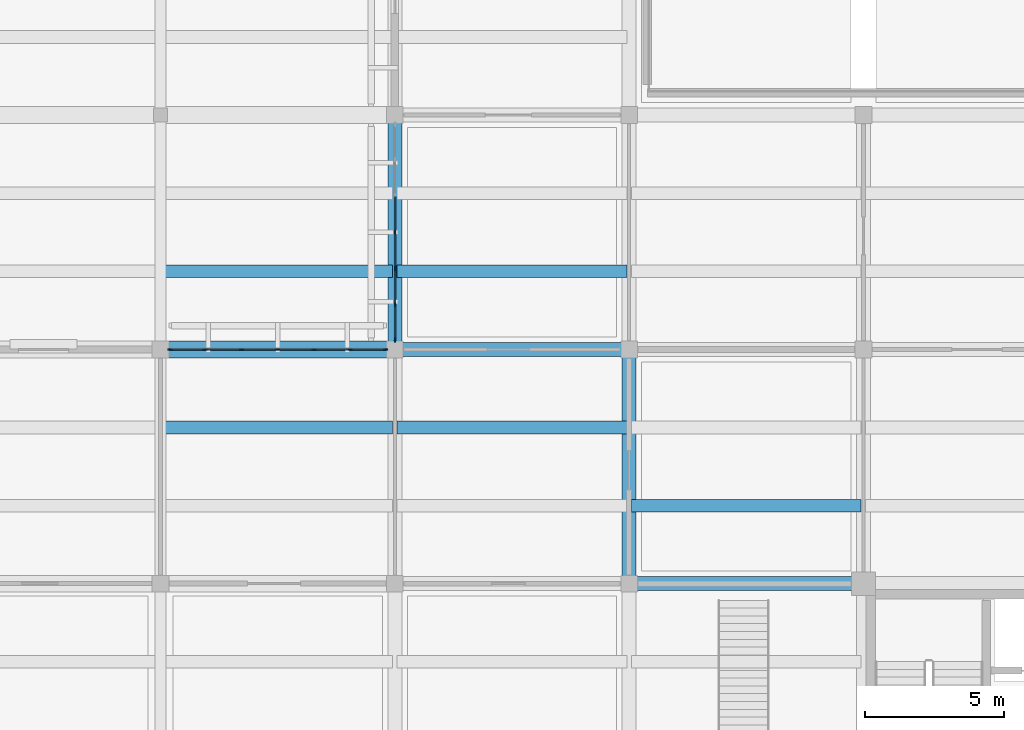
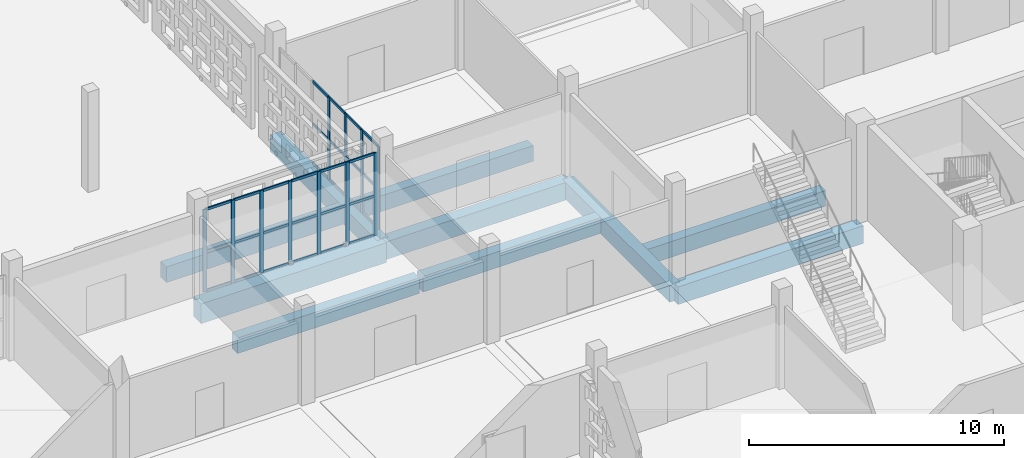
# One storey, part 37 of 129: 41 members, 10 beams, 2 elements without a shape of their own.
"""IFC4 building model written with IfcOpenShell, lengths in metres."""

import ifcopenshell
import ifcopenshell.guid

model = None  # the IFC model being written
_history = None  # IfcOwnerHistory: only IFC2X3 demands one
_inside = {}  # id of a spatial element -> (the spatial element, [elements in it])
_under = {}  # id of a project, library or spatial element -> (it, [spatial elements below it])
_declared = {}  # id of a project -> (the project, [libraries it declares])
_typed = {}  # id of a type object -> (the type object, [elements of that type])
_made_of = {}  # id of a material, layer set ... -> (it, [elements and type objects made of it])


def new_model(schema):
    """Start an empty IFC model of exactly this schema.

    Asked for "IFC4X3", IfcOpenShell would pick the latest addendum, in which some entities
    have other attributes; the version numbers below select the first issue.
    IFC2X3 requires an IfcOwnerHistory on every rooted entity: one is made here for all.
    """
    global model, _history
    if schema == "IFC4X3":
        model = ifcopenshell.file(schema_version=(4, 3, 0, 0))
    else:
        model = ifcopenshell.file(schema=schema)
    _inside.clear()
    _under.clear()
    _declared.clear()
    _typed.clear()
    _made_of.clear()
    _history = None
    if model.schema == "IFC2X3":
        org = make("IfcOrganization", Name="unknown")
        user = make(
            "IfcPersonAndOrganization",
            ThePerson=make("IfcPerson", FamilyName="unknown"),
            TheOrganization=org,
        )
        app = make(
            "IfcApplication",
            ApplicationDeveloper=org,
            Version="unknown",
            ApplicationFullName="unknown",
            ApplicationIdentifier="unknown",
        )
        _history = make(
            "IfcOwnerHistory",
            OwningUser=user,
            OwningApplication=app,
            ChangeAction="ADDED",
            CreationDate=0,
        )
    return model


def make(cls, **values):
    """One entity of the class cls with the attributes given. An attribute that is None is left unset."""
    return model.create_entity(
        cls, **{name: value for name, value in values.items() if value is not None}
    )


def rooted(cls, **values):
    """An entity with a GlobalId (a new one), such as an element, a storey or a relation."""
    return make(cls, GlobalId=ifcopenshell.guid.new(), OwnerHistory=_history, **values)


def si_unit(unit_type, name, prefix=None):
    """IfcSIUnit, for example si_unit("LENGTHUNIT", "METRE", prefix="MILLI")."""
    return make("IfcSIUnit", UnitType=unit_type, Prefix=prefix, Name=name)


def assignment(units):
    """IfcUnitAssignment: the units of a project."""
    return None if units is None else make("IfcUnitAssignment", Units=units)


def point(xyz):
    """IfcCartesianPoint."""
    return None if xyz is None else make("IfcCartesianPoint", Coordinates=xyz)


def direction(xyz):
    """IfcDirection."""
    return None if xyz is None else make("IfcDirection", DirectionRatios=xyz)


def frame(location, z_axis=None, x_axis=None):
    """IfcAxis2Placement3D, a coordinate frame: its origin and axes. An axis left out is left unset."""
    return make(
        "IfcAxis2Placement3D",
        Location=point(location),
        Axis=direction(z_axis),
        RefDirection=direction(x_axis),
    )


def frame_2d(location, x_axis=None):
    """IfcAxis2Placement2D, a coordinate frame in the plane: its origin and x axis."""
    return make(
        "IfcAxis2Placement2D", Location=point(location), RefDirection=direction(x_axis)
    )


def origin():
    """The frame at (0, 0, 0) with its axes left unset."""
    return frame((0.0, 0.0, 0.0))


def origin_2d():
    """The frame at (0, 0) in the plane with its x axis left unset."""
    return frame_2d((0.0, 0.0))


def place(relative_to, where):
    """IfcLocalPlacement: puts the frame where relative to a parent placement (None: the world)."""
    return make(
        "IfcLocalPlacement", PlacementRelTo=relative_to, RelativePlacement=where
    )


def context(
    kind, dimensions, precision=None, world=None, true_north=None, identifier=None
):
    """IfcGeometricRepresentationContext, for example the 3D "Model" context."""
    return make(
        "IfcGeometricRepresentationContext",
        ContextIdentifier=identifier,
        ContextType=kind,
        CoordinateSpaceDimension=dimensions,
        Precision=precision,
        WorldCoordinateSystem=world,
        TrueNorth=true_north,
    )


def subcontext(parent, identifier, kind, view, scale=None):
    """IfcGeometricRepresentationSubContext, for example "Body" below "Model"."""
    return make(
        "IfcGeometricRepresentationSubContext",
        ContextIdentifier=identifier,
        ContextType=kind,
        ParentContext=parent,
        TargetScale=scale,
        TargetView=view,
    )


def project(units=None, contexts=None):
    """IfcProject with its units and contexts."""
    return rooted(
        "IfcProject",
        Name="project",
        RepresentationContexts=contexts,
        UnitsInContext=assignment(units),
    )


def spatial(cls, under=None, at=None, **own):
    """A site, building, storey or space (cls), placed at a placement, below another one or the project."""
    s = rooted(cls, ObjectPlacement=at, **own)
    if under is not None:
        _under.setdefault(under.id(), (under, []))[1].append(s)
    return s


def profile(cls, at=None, kind="AREA", **sizes):
    """A parametric profile (cls). Its sizes go by their IFC names, for example OverallWidth=200.0."""
    return make(cls, ProfileType=kind, Position=at, **sizes)


def rectangle(**sizes):
    """IfcRectangleProfileDef."""
    return profile("IfcRectangleProfileDef", **sizes)


def extrude(swept, where, along, depth):
    """IfcExtrudedAreaSolid: the profile swept, set in the frame where, extruded along a direction by depth."""
    return make(
        "IfcExtrudedAreaSolid",
        SweptArea=swept,
        Position=where,
        ExtrudedDirection=direction(along),
        Depth=depth,
    )


def shape(context_of_items, identifier, shape_type, items):
    """IfcShapeRepresentation: the items that make up one representation, for example the "Body"."""
    return make(
        "IfcShapeRepresentation",
        ContextOfItems=context_of_items,
        RepresentationIdentifier=identifier,
        RepresentationType=shape_type,
        Items=items,
    )


def material(Name=None, Category=None):
    """IfcMaterial."""
    return make("IfcMaterial", Name=Name, Category=Category)


def layer(
    of_material, thickness, ventilated=None, Name=None, Category=None, Priority=None
):
    """IfcMaterialLayer: one layer of a wall or slab, of a material (None: an air gap)."""
    return make(
        "IfcMaterialLayer",
        Material=of_material,
        LayerThickness=thickness,
        IsVentilated=ventilated,
        Name=Name,
        Category=Category,
        Priority=Priority,
    )


def layer_set(layers, Name=None):
    """IfcMaterialLayerSet."""
    return make("IfcMaterialLayerSet", MaterialLayers=layers, LayerSetName=Name)


def material_profile(
    of_material, cross_section, Name=None, Category=None, Priority=None
):
    """IfcMaterialProfile: a cross section and its material."""
    return make(
        "IfcMaterialProfile",
        Name=Name,
        Material=of_material,
        Profile=cross_section,
        Priority=Priority,
        Category=Category,
    )


def profile_set(profiles, Name=None, composite=None):
    """IfcMaterialProfileSet."""
    return make(
        "IfcMaterialProfileSet",
        Name=Name,
        MaterialProfiles=profiles,
        CompositeProfile=composite,
    )


def made_of(thing, what):
    """Note that an element or type object is made of a material, layer set ...; save() writes the relation."""
    if what is not None:
        _made_of.setdefault(what.id(), (what, []))[1].append(thing)
    return thing


def type_object(cls, material=None, **own):
    """A type object (cls), such as IfcWallType, which elements share."""
    return made_of(rooted(cls, **own), material)


def element(
    cls,
    number,
    at=None,
    inside=None,
    cuts=None,
    type_object=None,
    material=None,
    context=None,
    identifier="Body",
    shape_type=None,
    held_by="IfcProductDefinitionShape",
    body=None,
    shapes=None,
    **own,
):
    """One element of the class cls, such as IfcWall. Its Tag is "e" and its number.

    at: its placement. inside: the storey or other place that contains it. cuts: it is an
    opening in that element (IfcRelVoidsElement). A single representation is given by context,
    identifier, shape_type and body (its items); several are given by shapes. held_by: the class
    of the entity that holds the representations. save() writes the other relations.
    """
    e = rooted(cls, Tag="e%d" % number, ObjectPlacement=at, **own)
    if body is not None:
        shapes = [shape(context, identifier, shape_type, body)]
    if shapes is not None:
        e.Representation = make(held_by, Representations=shapes)
    if inside is not None:
        _inside.setdefault(inside.id(), (inside, []))[1].append(e)
    if cuts is not None:
        rooted(
            "IfcRelVoidsElement", RelatingBuildingElement=cuts, RelatedOpeningElement=e
        )
    if type_object is not None:
        _typed.setdefault(type_object.id(), (type_object, []))[1].append(e)
    return made_of(e, material)


def aggregate(whole, parts):
    """IfcRelAggregates: a whole, such as a stair, and the parts it consists of."""
    return rooted("IfcRelAggregates", RelatingObject=whole, RelatedObjects=parts)


def save(model, path):
    """Write the relations noted so far, then the file.

    IfcRelAggregates (storeys below a building ...), IfcRelContainedInSpatialStructure (elements
    in a storey), IfcRelDefinesByType, IfcRelAssociatesMaterial and IfcRelDeclares: one each for
    every whole, place, type object, material and project.
    """
    for whole, parts in _under.values():
        aggregate(whole, parts)
    for where, things in _inside.values():
        rooted(
            "IfcRelContainedInSpatialStructure",
            RelatedElements=things,
            RelatingStructure=where,
        )
    for kind, things in _typed.values():
        rooted("IfcRelDefinesByType", RelatedObjects=things, RelatingType=kind)
    for what, things in _made_of.values():
        rooted("IfcRelAssociatesMaterial", RelatedObjects=things, RelatingMaterial=what)
    for by, libraries in _declared.values():
        rooted("IfcRelDeclares", RelatingContext=by, RelatedDefinitions=libraries)
    model.write(path)


model = new_model("IFC4")

# Units and contexts
model_context = context("Model", 3, precision=1e-05, world=origin(), true_north=direction((0.0, 1.0)))
body_context = subcontext(model_context, "Body", "Model", "MODEL_VIEW")
ifc_project = project(units=[si_unit("LENGTHUNIT", "METRE"), si_unit("AREAUNIT", "SQUARE_METRE"), si_unit("VOLUMEUNIT", "CUBIC_METRE"), si_unit("PLANEANGLEUNIT", "RADIAN"), si_unit("MASSUNIT", "GRAM", prefix="KILO")], contexts=[model_context])

# Site, building, storey
site_placement = place(None, origin())
site = spatial("IfcSite", under=ifc_project, at=site_placement, CompositionType="ELEMENT")
building_placement = place(site_placement, origin())
building = spatial("IfcBuilding", under=site, at=building_placement, Name="Varnapada Polytechnic", CompositionType="ELEMENT")
storey_placement = place(building_placement, origin())
storey = spatial("IfcBuildingStorey", under=building, at=storey_placement, Name="L00", CompositionType="ELEMENT", Elevation=0.0)

# Beams
ifc_material_1 = material(Name="Concrete C40/50", Category="concrete")
ifc_material_profile_1 = material_profile(ifc_material_1, rectangle(XDim=0.449951171875, YDim=0.75, at=origin_2d()), Name="RC 450x750")
ifc_profile_set_1 = profile_set([ifc_material_profile_1], Name="Concrete C40/50")
beam_type_1 = type_object("IfcBeamType", Name="Basement/podium secondary beam BB-01 (RC 450x750)", PredefinedType="BEAM", material=ifc_profile_set_1)
for number, where, z_axis, x_axis, name in (
    (1, (126.080078125, 39.199951171875, -0.675048828125), (1.0, 0.0, 0.0), (0.0, 1.0, 0.0), "L00 floor joist 16/5.2"),
    (2, (126.080078125, 44.800048828125, -0.675048828125), (1.0, 0.0, 0.0), (0.0, 1.0, 0.0), "L00 floor joist 16/6.1"),
    (3, (134.47998046875, 39.199951171875, -0.675048828125), (1.0, 0.0, 0.0), (0.0, 1.0, 0.0), "L00 floor joist 17/5.2"),
    (4, (134.47998046875, 44.800048828125, -0.675048828125), (1.0, 0.0, 0.0), (0.0, 1.0, 0.0), "L00 floor joist 17/6.1"),
):
    element("IfcBeam", number, at=place(storey_placement, frame(where, z_axis=z_axis, x_axis=x_axis)), inside=storey, type_object=beam_type_1, Name=name, PredefinedType="BEAM", context=body_context, shape_type="SweptSolid", body=[
        extrude(rectangle(XDim=0.449951171875, YDim=0.75, at=origin_2d()), origin(), (0.0, 0.0, 1.0), 8.239990234375),
    ])
beam_1_placement = place(storey_placement, frame((142.8798828125, 36.39990234375, -0.675048828125), z_axis=(1.0, 0.0, 0.0), x_axis=(0.0, 1.0, 0.0)))
element("IfcBeam", 5, at=beam_1_placement, inside=storey, type_object=beam_type_1, Name="L00 floor joist 18/5.1", PredefinedType="BEAM", context=body_context, shape_type="SweptSolid", body=[
    extrude(rectangle(XDim=0.449951171875, YDim=0.75, at=origin_2d()), origin(), (0.0, 0.0, 1.0), 8.240234375),
])

# Curtain wall, members
ifc_material_2 = material(Name="Double low-E laminated glass", Category="glass")
ifc_layer = layer(ifc_material_2, 0.159912109375)
ifc_layer_set = layer_set([ifc_layer], Name="Double low-E laminated glass")
curtain_wall_type = type_object("IfcCurtainWallType", Name="Curtain Wall CW-01", PredefinedType="NOTDEFINED", material=ifc_layer_set)
curtain_wall_1_placement = place(storey_placement, origin())
curtain_wall_1 = element("IfcCurtainWall", 6, at=curtain_wall_1_placement, inside=storey, type_object=curtain_wall_type, Name="L00 unitised curtain wall CW-01 (14)", PredefinedType="NOTDEFINED")
ifc_material_3 = material(Name="Anodised aluminium", Category="aluminium")
ifc_material_profile_2 = material_profile(ifc_material_3, rectangle(XDim=0.06005859375, YDim=0.159912109375, at=origin_2d()), Name="ALU M60x160")
ifc_profile_set_2 = profile_set([ifc_material_profile_2], Name="Anodised aluminium")
member_type_1 = type_object("IfcMemberType", Name="Mullion M-01", PredefinedType="MULLION", material=ifc_profile_set_2)
member_1_placement = place(storey_placement, frame((126.330078125, 42.0, 0.0), z_axis=(0.0, 0.0, 1.0), x_axis=(0.0, 1.0, 0.0)))
member_1 = element("IfcMember", 7, at=member_1_placement, type_object=member_type_1, Name="CW-01 mullion 1", PredefinedType="MULLION", context=body_context, shape_type="SweptSolid", body=[
    extrude(rectangle(XDim=0.06005859375, YDim=0.159912109375, at=origin_2d()), origin(), (0.0, 0.0, 1.0), 3.9599609375),
])
member_2_placement = place(storey_placement, frame((127.60009765625, 42.0, 0.0), z_axis=(0.0, 0.0, 1.0), x_axis=(0.0, 1.0, 0.0)))
member_2 = element("IfcMember", 8, at=member_2_placement, type_object=member_type_1, Name="CW-01 mullion 2", PredefinedType="MULLION", context=body_context, shape_type="SweptSolid", body=[
    extrude(rectangle(XDim=0.06005859375, YDim=0.159912109375, at=origin_2d()), origin(), (0.0, 0.0, 1.0), 3.9599609375),
])
member_3_placement = place(storey_placement, frame((128.89990234375, 42.0, 0.0), z_axis=(0.0, 0.0, 1.0), x_axis=(0.0, 1.0, 0.0)))
member_3 = element("IfcMember", 9, at=member_3_placement, type_object=member_type_1, Name="CW-01 mullion 3", PredefinedType="MULLION", context=body_context, shape_type="SweptSolid", body=[
    extrude(rectangle(XDim=0.06005859375, YDim=0.159912109375, at=origin_2d()), origin(), (0.0, 0.0, 1.0), 3.9599609375),
])
member_4_placement = place(storey_placement, frame((130.199951171875, 42.0, 0.0), z_axis=(0.0, 0.0, 1.0), x_axis=(0.0, 1.0, 0.0)))
member_4 = element("IfcMember", 10, at=member_4_placement, type_object=member_type_1, Name="CW-01 mullion 4", PredefinedType="MULLION", context=body_context, shape_type="SweptSolid", body=[
    extrude(rectangle(XDim=0.06005859375, YDim=0.159912109375, at=origin_2d()), origin(), (0.0, 0.0, 1.0), 3.9599609375),
])
member_5_placement = place(storey_placement, frame((131.5, 42.0, 0.0), z_axis=(0.0, 0.0, 1.0), x_axis=(0.0, 1.0, 0.0)))
member_5 = element("IfcMember", 11, at=member_5_placement, type_object=member_type_1, Name="CW-01 mullion 5", PredefinedType="MULLION", context=body_context, shape_type="SweptSolid", body=[
    extrude(rectangle(XDim=0.06005859375, YDim=0.159912109375, at=origin_2d()), origin(), (0.0, 0.0, 1.0), 3.9599609375),
])
member_6_placement = place(storey_placement, frame((132.800048828125, 42.0, 0.0), z_axis=(0.0, 0.0, 1.0), x_axis=(0.0, 1.0, 0.0)))
member_6 = element("IfcMember", 12, at=member_6_placement, type_object=member_type_1, Name="CW-01 mullion 6", PredefinedType="MULLION", context=body_context, shape_type="SweptSolid", body=[
    extrude(rectangle(XDim=0.06005859375, YDim=0.159912109375, at=origin_2d()), origin(), (0.0, 0.0, 1.0), 3.9599609375),
])
member_7_placement = place(storey_placement, frame((134.070068359375, 42.0, 0.0), z_axis=(0.0, 0.0, 1.0), x_axis=(0.0, 1.0, 0.0)))
member_7 = element("IfcMember", 13, at=member_7_placement, type_object=member_type_1, Name="CW-01 mullion 7", PredefinedType="MULLION", context=body_context, shape_type="SweptSolid", body=[
    extrude(rectangle(XDim=0.06005859375, YDim=0.159912109375, at=origin_2d()), origin(), (0.0, 0.0, 1.0), 3.9599609375),
])

curtain_wall_2_placement = place(storey_placement, origin())
curtain_wall_2 = element("IfcCurtainWall", 14, at=curtain_wall_2_placement, inside=storey, type_object=curtain_wall_type, Name="L00 unitised curtain wall CW-01 (16)", PredefinedType="NOTDEFINED")
member_8_placement = place(storey_placement, frame((134.39990234375, 42.330078125, 0.0), z_axis=(0.0, 0.0, 1.0), x_axis=(-1.0, 0.0, 0.0)))
member_8 = element("IfcMember", 15, at=member_8_placement, type_object=member_type_1, Name="CW-01 mullion 1", PredefinedType="MULLION", context=body_context, shape_type="SweptSolid", body=[
    extrude(rectangle(XDim=0.06005859375, YDim=0.159912109375, at=origin_2d()), origin(), (0.0, 0.0, 1.0), 3.9599609375),
])
member_9_placement = place(storey_placement, frame((134.39990234375, 43.60009765625, 0.0), z_axis=(0.0, 0.0, 1.0), x_axis=(-1.0, 0.0, 0.0)))
member_9 = element("IfcMember", 16, at=member_9_placement, type_object=member_type_1, Name="CW-01 mullion 2", PredefinedType="MULLION", context=body_context, shape_type="SweptSolid", body=[
    extrude(rectangle(XDim=0.06005859375, YDim=0.159912109375, at=origin_2d()), origin(), (0.0, 0.0, 1.0), 3.9599609375),
])
member_10_placement = place(storey_placement, frame((134.39990234375, 44.89990234375, 0.0), z_axis=(0.0, 0.0, 1.0), x_axis=(-1.0, 0.0, 0.0)))
member_10 = element("IfcMember", 17, at=member_10_placement, type_object=member_type_1, Name="CW-01 mullion 3", PredefinedType="MULLION", context=body_context, shape_type="SweptSolid", body=[
    extrude(rectangle(XDim=0.06005859375, YDim=0.159912109375, at=origin_2d()), origin(), (0.0, 0.0, 1.0), 3.9599609375),
])
member_11_placement = place(storey_placement, frame((134.39990234375, 46.199951171875, 0.0), z_axis=(0.0, 0.0, 1.0), x_axis=(-1.0, 0.0, 0.0)))
member_11 = element("IfcMember", 18, at=member_11_placement, type_object=member_type_1, Name="CW-01 mullion 4", PredefinedType="MULLION", context=body_context, shape_type="SweptSolid", body=[
    extrude(rectangle(XDim=0.06005859375, YDim=0.159912109375, at=origin_2d()), origin(), (0.0, 0.0, 1.0), 3.9599609375),
])

# Beams
ifc_material_profile_3 = material_profile(ifc_material_1, rectangle(XDim=0.5, YDim=0.800048828125, at=origin_2d()), Name="RC 500x800")
ifc_profile_set_3 = profile_set([ifc_material_profile_3], Name="Concrete C40/50")
beam_type_2 = type_object("IfcBeamType", Name="Refectory podium girder BB-03 (RC 500x800)", PredefinedType="BEAM", material=ifc_profile_set_3)
for number, where, z_axis, x_axis, name in (
    (19, (134.39990234375, 42.0, -0.699951171875), (0.0, 1.0, 0.0), (-1.0, 0.0, 0.0), "L00 beam Y 6-7 at X17"),
    (20, (142.800048828125, 33.60009765625, -0.699951171875), (0.0, 1.0, 0.0), (-1.0, 0.0, 0.0), "L00 beam Y 5-6 at X18"),
):
    element("IfcBeam", number, at=place(storey_placement, frame(where, z_axis=z_axis, x_axis=x_axis)), inside=storey, type_object=beam_type_2, Name=name, PredefinedType="BEAM", context=body_context, shape_type="SweptSolid", body=[
        extrude(rectangle(XDim=0.5, YDim=0.800048828125, at=origin_2d()), origin(), (0.0, 0.0, 1.0), 8.39990234375),
    ])
ifc_material_profile_4 = material_profile(ifc_material_1, rectangle(XDim=0.5, YDim=0.85009765625, at=origin_2d()), Name="RC 500x850")
ifc_profile_set_4 = profile_set([ifc_material_profile_4], Name="Concrete C40/50")
beam_type_3 = type_object("IfcBeamType", Name="Standard podium primary girder BG-02 (RC 500x850)", PredefinedType="T_BEAM", material=ifc_profile_set_4)
beam_2_placement = place(storey_placement, frame((134.39990234375, 42.0, -0.72509765625), z_axis=(1.0, 0.0, 0.0), x_axis=(0.0, 1.0, 0.0)))
element("IfcBeam", 21, at=beam_2_placement, inside=storey, type_object=beam_type_3, Name="L00 beam X 17-18 at Y6", PredefinedType="T_BEAM", context=body_context, shape_type="SweptSolid", body=[
    extrude(rectangle(XDim=0.5, YDim=0.85009765625, at=origin_2d()), origin(), (0.0, 0.0, 1.0), 8.400146484375),
])
beam_3_placement = place(storey_placement, frame((142.800048828125, 33.60009765625, -0.72509765625), z_axis=(1.0, 0.0, 0.0), x_axis=(0.0, 1.0, 0.0)))
element("IfcBeam", 22, at=beam_3_placement, inside=storey, type_object=beam_type_3, Name="L00 beam X 18-19 at Y5", PredefinedType="T_BEAM", context=body_context, shape_type="SweptSolid", body=[
    extrude(rectangle(XDim=0.5, YDim=0.85009765625, at=origin_2d()), origin(), (0.0, 0.0, 1.0), 8.39990234375),
])

# Member
ifc_material_profile_5 = material_profile(ifc_material_3, rectangle(XDim=0.06005859375, YDim=0.1201171875, at=origin_2d()), Name="ALU T60x120")
ifc_profile_set_5 = profile_set([ifc_material_profile_5], Name="Anodised aluminium")
member_type_2 = type_object("IfcMemberType", Name="Transom T-01", PredefinedType="USERDEFINED", material=ifc_profile_set_5)
member_12_placement = place(storey_placement, frame((126.360107421875, 42.0, 0.030029296875), z_axis=(1.0, 0.0, 0.0), x_axis=(0.0, 1.0, 0.0)))
member_12 = element("IfcMember", 23, at=member_12_placement, type_object=member_type_2, Name="CW-01 transom 1.1", ObjectType="TRANSOM", PredefinedType="USERDEFINED", context=body_context, shape_type="SweptSolid", body=[
    extrude(rectangle(XDim=0.06005859375, YDim=0.1201171875, at=origin_2d()), origin(), (0.0, 0.0, 1.0), 1.2099609375),
])

member_13_placement = place(storey_placement, frame((126.360107421875, 42.0, 1.90087890625), z_axis=(1.0, 0.0, 0.0), x_axis=(0.0, 1.0, 0.0)))
member_13 = element("IfcMember", 24, at=member_13_placement, type_object=member_type_2, Name="CW-01 transom 1.2", ObjectType="TRANSOM", PredefinedType="USERDEFINED", context=body_context, shape_type="SweptSolid", body=[
    extrude(rectangle(XDim=0.06005859375, YDim=0.1201171875, at=origin_2d()), origin(), (0.0, 0.0, 1.0), 1.2099609375),
])

member_14_placement = place(storey_placement, frame((126.360107421875, 42.0, 3.929931640625), z_axis=(1.0, 0.0, 0.0), x_axis=(0.0, 1.0, 0.0)))
member_14 = element("IfcMember", 25, at=member_14_placement, type_object=member_type_2, Name="CW-01 transom 1.3", ObjectType="TRANSOM", PredefinedType="USERDEFINED", context=body_context, shape_type="SweptSolid", body=[
    extrude(rectangle(XDim=0.06005859375, YDim=0.1201171875, at=origin_2d()), origin(), (0.0, 0.0, 1.0), 1.2099609375),
])

member_15_placement = place(storey_placement, frame((127.6298828125, 42.0, 0.030029296875), z_axis=(1.0, 0.0, 0.0), x_axis=(0.0, 1.0, 0.0)))
member_15 = element("IfcMember", 26, at=member_15_placement, type_object=member_type_2, Name="CW-01 transom 2.1", ObjectType="TRANSOM", PredefinedType="USERDEFINED", context=body_context, shape_type="SweptSolid", body=[
    extrude(rectangle(XDim=0.06005859375, YDim=0.1201171875, at=origin_2d()), origin(), (0.0, 0.0, 1.0), 1.240234375),
])

member_16_placement = place(storey_placement, frame((127.6298828125, 42.0, 1.90087890625), z_axis=(1.0, 0.0, 0.0), x_axis=(0.0, 1.0, 0.0)))
member_16 = element("IfcMember", 27, at=member_16_placement, type_object=member_type_2, Name="CW-01 transom 2.2", ObjectType="TRANSOM", PredefinedType="USERDEFINED", context=body_context, shape_type="SweptSolid", body=[
    extrude(rectangle(XDim=0.06005859375, YDim=0.1201171875, at=origin_2d()), origin(), (0.0, 0.0, 1.0), 1.240234375),
])

member_17_placement = place(storey_placement, frame((127.6298828125, 42.0, 3.929931640625), z_axis=(1.0, 0.0, 0.0), x_axis=(0.0, 1.0, 0.0)))
member_17 = element("IfcMember", 28, at=member_17_placement, type_object=member_type_2, Name="CW-01 transom 2.3", ObjectType="TRANSOM", PredefinedType="USERDEFINED", context=body_context, shape_type="SweptSolid", body=[
    extrude(rectangle(XDim=0.06005859375, YDim=0.1201171875, at=origin_2d()), origin(), (0.0, 0.0, 1.0), 1.240234375),
])

member_18_placement = place(storey_placement, frame((128.929931640625, 42.0, 0.030029296875), z_axis=(1.0, 0.0, 0.0), x_axis=(0.0, 1.0, 0.0)))
member_18 = element("IfcMember", 29, at=member_18_placement, type_object=member_type_2, Name="CW-01 transom 3.1", ObjectType="TRANSOM", PredefinedType="USERDEFINED", context=body_context, shape_type="SweptSolid", body=[
    extrude(rectangle(XDim=0.06005859375, YDim=0.1201171875, at=origin_2d()), origin(), (0.0, 0.0, 1.0), 1.239990234375),
])

member_19_placement = place(storey_placement, frame((128.929931640625, 42.0, 1.90087890625), z_axis=(1.0, 0.0, 0.0), x_axis=(0.0, 1.0, 0.0)))
member_19 = element("IfcMember", 30, at=member_19_placement, type_object=member_type_2, Name="CW-01 transom 3.2", ObjectType="TRANSOM", PredefinedType="USERDEFINED", context=body_context, shape_type="SweptSolid", body=[
    extrude(rectangle(XDim=0.06005859375, YDim=0.1201171875, at=origin_2d()), origin(), (0.0, 0.0, 1.0), 1.239990234375),
])

member_20_placement = place(storey_placement, frame((128.929931640625, 42.0, 3.929931640625), z_axis=(1.0, 0.0, 0.0), x_axis=(0.0, 1.0, 0.0)))
member_20 = element("IfcMember", 31, at=member_20_placement, type_object=member_type_2, Name="CW-01 transom 3.3", ObjectType="TRANSOM", PredefinedType="USERDEFINED", context=body_context, shape_type="SweptSolid", body=[
    extrude(rectangle(XDim=0.06005859375, YDim=0.1201171875, at=origin_2d()), origin(), (0.0, 0.0, 1.0), 1.239990234375),
])

member_21_placement = place(storey_placement, frame((130.22998046875, 42.0, 0.030029296875), z_axis=(1.0, 0.0, 0.0), x_axis=(0.0, 1.0, 0.0)))
member_21 = element("IfcMember", 32, at=member_21_placement, type_object=member_type_2, Name="CW-01 transom 4.1", ObjectType="TRANSOM", PredefinedType="USERDEFINED", context=body_context, shape_type="SweptSolid", body=[
    extrude(rectangle(XDim=0.06005859375, YDim=0.1201171875, at=origin_2d()), origin(), (0.0, 0.0, 1.0), 1.239990234375),
])

member_22_placement = place(storey_placement, frame((130.22998046875, 42.0, 1.90087890625), z_axis=(1.0, 0.0, 0.0), x_axis=(0.0, 1.0, 0.0)))
member_22 = element("IfcMember", 33, at=member_22_placement, type_object=member_type_2, Name="CW-01 transom 4.2", ObjectType="TRANSOM", PredefinedType="USERDEFINED", context=body_context, shape_type="SweptSolid", body=[
    extrude(rectangle(XDim=0.06005859375, YDim=0.1201171875, at=origin_2d()), origin(), (0.0, 0.0, 1.0), 1.239990234375),
])

member_23_placement = place(storey_placement, frame((130.22998046875, 42.0, 3.929931640625), z_axis=(1.0, 0.0, 0.0), x_axis=(0.0, 1.0, 0.0)))
member_23 = element("IfcMember", 34, at=member_23_placement, type_object=member_type_2, Name="CW-01 transom 4.3", ObjectType="TRANSOM", PredefinedType="USERDEFINED", context=body_context, shape_type="SweptSolid", body=[
    extrude(rectangle(XDim=0.06005859375, YDim=0.1201171875, at=origin_2d()), origin(), (0.0, 0.0, 1.0), 1.239990234375),
])

member_24_placement = place(storey_placement, frame((131.530029296875, 42.0, 0.030029296875), z_axis=(1.0, 0.0, 0.0), x_axis=(0.0, 1.0, 0.0)))
member_24 = element("IfcMember", 35, at=member_24_placement, type_object=member_type_2, Name="CW-01 transom 5.1", ObjectType="TRANSOM", PredefinedType="USERDEFINED", context=body_context, shape_type="SweptSolid", body=[
    extrude(rectangle(XDim=0.06005859375, YDim=0.1201171875, at=origin_2d()), origin(), (0.0, 0.0, 1.0), 1.239990234375),
])

member_25_placement = place(storey_placement, frame((131.530029296875, 42.0, 1.90087890625), z_axis=(1.0, 0.0, 0.0), x_axis=(0.0, 1.0, 0.0)))
member_25 = element("IfcMember", 36, at=member_25_placement, type_object=member_type_2, Name="CW-01 transom 5.2", ObjectType="TRANSOM", PredefinedType="USERDEFINED", context=body_context, shape_type="SweptSolid", body=[
    extrude(rectangle(XDim=0.06005859375, YDim=0.1201171875, at=origin_2d()), origin(), (0.0, 0.0, 1.0), 1.239990234375),
])

member_26_placement = place(storey_placement, frame((131.530029296875, 42.0, 3.929931640625), z_axis=(1.0, 0.0, 0.0), x_axis=(0.0, 1.0, 0.0)))
member_26 = element("IfcMember", 37, at=member_26_placement, type_object=member_type_2, Name="CW-01 transom 5.3", ObjectType="TRANSOM", PredefinedType="USERDEFINED", context=body_context, shape_type="SweptSolid", body=[
    extrude(rectangle(XDim=0.06005859375, YDim=0.1201171875, at=origin_2d()), origin(), (0.0, 0.0, 1.0), 1.239990234375),
])

member_27_placement = place(storey_placement, frame((132.830078125, 42.0, 0.030029296875), z_axis=(1.0, 0.0, 0.0), x_axis=(0.0, 1.0, 0.0)))
member_27 = element("IfcMember", 38, at=member_27_placement, type_object=member_type_2, Name="CW-01 transom 6.1", ObjectType="TRANSOM", PredefinedType="USERDEFINED", context=body_context, shape_type="SweptSolid", body=[
    extrude(rectangle(XDim=0.06005859375, YDim=0.1201171875, at=origin_2d()), origin(), (0.0, 0.0, 1.0), 1.2099609375),
])

member_28_placement = place(storey_placement, frame((132.830078125, 42.0, 1.90087890625), z_axis=(1.0, 0.0, 0.0), x_axis=(0.0, 1.0, 0.0)))
member_28 = element("IfcMember", 39, at=member_28_placement, type_object=member_type_2, Name="CW-01 transom 6.2", ObjectType="TRANSOM", PredefinedType="USERDEFINED", context=body_context, shape_type="SweptSolid", body=[
    extrude(rectangle(XDim=0.06005859375, YDim=0.1201171875, at=origin_2d()), origin(), (0.0, 0.0, 1.0), 1.2099609375),
])

member_29_placement = place(storey_placement, frame((132.830078125, 42.0, 3.929931640625), z_axis=(1.0, 0.0, 0.0), x_axis=(0.0, 1.0, 0.0)))
member_29 = element("IfcMember", 40, at=member_29_placement, type_object=member_type_2, Name="CW-01 transom 6.3", ObjectType="TRANSOM", PredefinedType="USERDEFINED", context=body_context, shape_type="SweptSolid", body=[
    extrude(rectangle(XDim=0.06005859375, YDim=0.1201171875, at=origin_2d()), origin(), (0.0, 0.0, 1.0), 1.2099609375),
])

aggregate(curtain_wall_1, [member_1, member_2, member_3, member_4, member_5, member_6, member_7, member_12, member_13, member_14, member_15, member_16, member_17, member_18, member_19, member_20, member_21, member_22, member_23, member_24, member_25, member_26, member_27, member_28, member_29])

member_30_placement = place(storey_placement, frame((134.39990234375, 42.360107421875, 0.030029296875), z_axis=(0.0, 1.0, 0.0), x_axis=(-1.0, 0.0, 0.0)))
member_30 = element("IfcMember", 41, at=member_30_placement, type_object=member_type_2, Name="CW-01 transom 1.1", ObjectType="TRANSOM", PredefinedType="USERDEFINED", context=body_context, shape_type="SweptSolid", body=[
    extrude(rectangle(XDim=0.06005859375, YDim=0.1201171875, at=origin_2d()), origin(), (0.0, 0.0, 1.0), 1.2099609375),
])

member_31_placement = place(storey_placement, frame((134.39990234375, 42.360107421875, 1.90087890625), z_axis=(0.0, 1.0, 0.0), x_axis=(-1.0, 0.0, 0.0)))
member_31 = element("IfcMember", 42, at=member_31_placement, type_object=member_type_2, Name="CW-01 transom 1.2", ObjectType="TRANSOM", PredefinedType="USERDEFINED", context=body_context, shape_type="SweptSolid", body=[
    extrude(rectangle(XDim=0.06005859375, YDim=0.1201171875, at=origin_2d()), origin(), (0.0, 0.0, 1.0), 1.2099609375),
])

member_32_placement = place(storey_placement, frame((134.39990234375, 42.360107421875, 3.929931640625), z_axis=(0.0, 1.0, 0.0), x_axis=(-1.0, 0.0, 0.0)))
member_32 = element("IfcMember", 43, at=member_32_placement, type_object=member_type_2, Name="CW-01 transom 1.3", ObjectType="TRANSOM", PredefinedType="USERDEFINED", context=body_context, shape_type="SweptSolid", body=[
    extrude(rectangle(XDim=0.06005859375, YDim=0.1201171875, at=origin_2d()), origin(), (0.0, 0.0, 1.0), 1.2099609375),
])

member_33_placement = place(storey_placement, frame((134.39990234375, 43.6298828125, 0.030029296875), z_axis=(0.0, 1.0, 0.0), x_axis=(-1.0, 0.0, 0.0)))
member_33 = element("IfcMember", 44, at=member_33_placement, type_object=member_type_2, Name="CW-01 transom 2.1", ObjectType="TRANSOM", PredefinedType="USERDEFINED", context=body_context, shape_type="SweptSolid", body=[
    extrude(rectangle(XDim=0.06005859375, YDim=0.1201171875, at=origin_2d()), origin(), (0.0, 0.0, 1.0), 1.240234375),
])

member_34_placement = place(storey_placement, frame((134.39990234375, 43.6298828125, 1.90087890625), z_axis=(0.0, 1.0, 0.0), x_axis=(-1.0, 0.0, 0.0)))
member_34 = element("IfcMember", 45, at=member_34_placement, type_object=member_type_2, Name="CW-01 transom 2.2", ObjectType="TRANSOM", PredefinedType="USERDEFINED", context=body_context, shape_type="SweptSolid", body=[
    extrude(rectangle(XDim=0.06005859375, YDim=0.1201171875, at=origin_2d()), origin(), (0.0, 0.0, 1.0), 1.240234375),
])

member_35_placement = place(storey_placement, frame((134.39990234375, 43.6298828125, 3.929931640625), z_axis=(0.0, 1.0, 0.0), x_axis=(-1.0, 0.0, 0.0)))
member_35 = element("IfcMember", 46, at=member_35_placement, type_object=member_type_2, Name="CW-01 transom 2.3", ObjectType="TRANSOM", PredefinedType="USERDEFINED", context=body_context, shape_type="SweptSolid", body=[
    extrude(rectangle(XDim=0.06005859375, YDim=0.1201171875, at=origin_2d()), origin(), (0.0, 0.0, 1.0), 1.240234375),
])

member_36_placement = place(storey_placement, frame((134.39990234375, 44.929931640625, 0.030029296875), z_axis=(0.0, 1.0, 0.0), x_axis=(-1.0, 0.0, 0.0)))
member_36 = element("IfcMember", 47, at=member_36_placement, type_object=member_type_2, Name="CW-01 transom 3.1", ObjectType="TRANSOM", PredefinedType="USERDEFINED", context=body_context, shape_type="SweptSolid", body=[
    extrude(rectangle(XDim=0.06005859375, YDim=0.1201171875, at=origin_2d()), origin(), (0.0, 0.0, 1.0), 1.239990234375),
])

member_37_placement = place(storey_placement, frame((134.39990234375, 44.929931640625, 1.90087890625), z_axis=(0.0, 1.0, 0.0), x_axis=(-1.0, 0.0, 0.0)))
member_37 = element("IfcMember", 48, at=member_37_placement, type_object=member_type_2, Name="CW-01 transom 3.2", ObjectType="TRANSOM", PredefinedType="USERDEFINED", context=body_context, shape_type="SweptSolid", body=[
    extrude(rectangle(XDim=0.06005859375, YDim=0.1201171875, at=origin_2d()), origin(), (0.0, 0.0, 1.0), 1.239990234375),
])

member_38_placement = place(storey_placement, frame((134.39990234375, 44.929931640625, 3.929931640625), z_axis=(0.0, 1.0, 0.0), x_axis=(-1.0, 0.0, 0.0)))
member_38 = element("IfcMember", 49, at=member_38_placement, type_object=member_type_2, Name="CW-01 transom 3.3", ObjectType="TRANSOM", PredefinedType="USERDEFINED", context=body_context, shape_type="SweptSolid", body=[
    extrude(rectangle(XDim=0.06005859375, YDim=0.1201171875, at=origin_2d()), origin(), (0.0, 0.0, 1.0), 1.239990234375),
])

member_39_placement = place(storey_placement, frame((134.39990234375, 46.22998046875, 0.030029296875), z_axis=(0.0, 1.0, 0.0), x_axis=(-1.0, 0.0, 0.0)))
member_39 = element("IfcMember", 50, at=member_39_placement, type_object=member_type_2, Name="CW-01 transom 4.1", ObjectType="TRANSOM", PredefinedType="USERDEFINED", context=body_context, shape_type="SweptSolid", body=[
    extrude(rectangle(XDim=0.06005859375, YDim=0.1201171875, at=origin_2d()), origin(), (0.0, 0.0, 1.0), 1.239990234375),
])

member_40_placement = place(storey_placement, frame((134.39990234375, 46.22998046875, 1.90087890625), z_axis=(0.0, 1.0, 0.0), x_axis=(-1.0, 0.0, 0.0)))
member_40 = element("IfcMember", 51, at=member_40_placement, type_object=member_type_2, Name="CW-01 transom 4.2", ObjectType="TRANSOM", PredefinedType="USERDEFINED", context=body_context, shape_type="SweptSolid", body=[
    extrude(rectangle(XDim=0.06005859375, YDim=0.1201171875, at=origin_2d()), origin(), (0.0, 0.0, 1.0), 1.239990234375),
])

member_41_placement = place(storey_placement, frame((134.39990234375, 46.22998046875, 3.929931640625), z_axis=(0.0, 1.0, 0.0), x_axis=(-1.0, 0.0, 0.0)))
member_41 = element("IfcMember", 52, at=member_41_placement, type_object=member_type_2, Name="CW-01 transom 4.3", ObjectType="TRANSOM", PredefinedType="USERDEFINED", context=body_context, shape_type="SweptSolid", body=[
    extrude(rectangle(XDim=0.06005859375, YDim=0.1201171875, at=origin_2d()), origin(), (0.0, 0.0, 1.0), 1.239990234375),
])

aggregate(curtain_wall_2, [member_8, member_9, member_10, member_11, member_30, member_31, member_32, member_33, member_34, member_35, member_36, member_37, member_38, member_39, member_40, member_41])

# Beam
ifc_material_profile_6 = material_profile(ifc_material_1, rectangle(XDim=0.60009765625, YDim=0.949951171875, at=origin_2d()), Name="RC 600x950")
ifc_profile_set_6 = profile_set([ifc_material_profile_6], Name="Concrete C40/50")
beam_type_4 = type_object("IfcBeamType", Name="Workshop podium heavy girder BG-03 (RC 600x950)", PredefinedType="T_BEAM", material=ifc_profile_set_6)
beam_4_placement = place(storey_placement, frame((126.0, 42.0, -0.77490234375), z_axis=(1.0, 0.0, 0.0), x_axis=(0.0, 1.0, 0.0)))
element("IfcBeam", 53, at=beam_4_placement, inside=storey, type_object=beam_type_4, Name="L00 beam X 16-17 at Y6", PredefinedType="T_BEAM", context=body_context, shape_type="SweptSolid", body=[
    extrude(rectangle(XDim=0.60009765625, YDim=0.949951171875, at=origin_2d()), origin(), (0.0, 0.0, 1.0), 8.39990234375),
])

save(model, "model.ifc")
